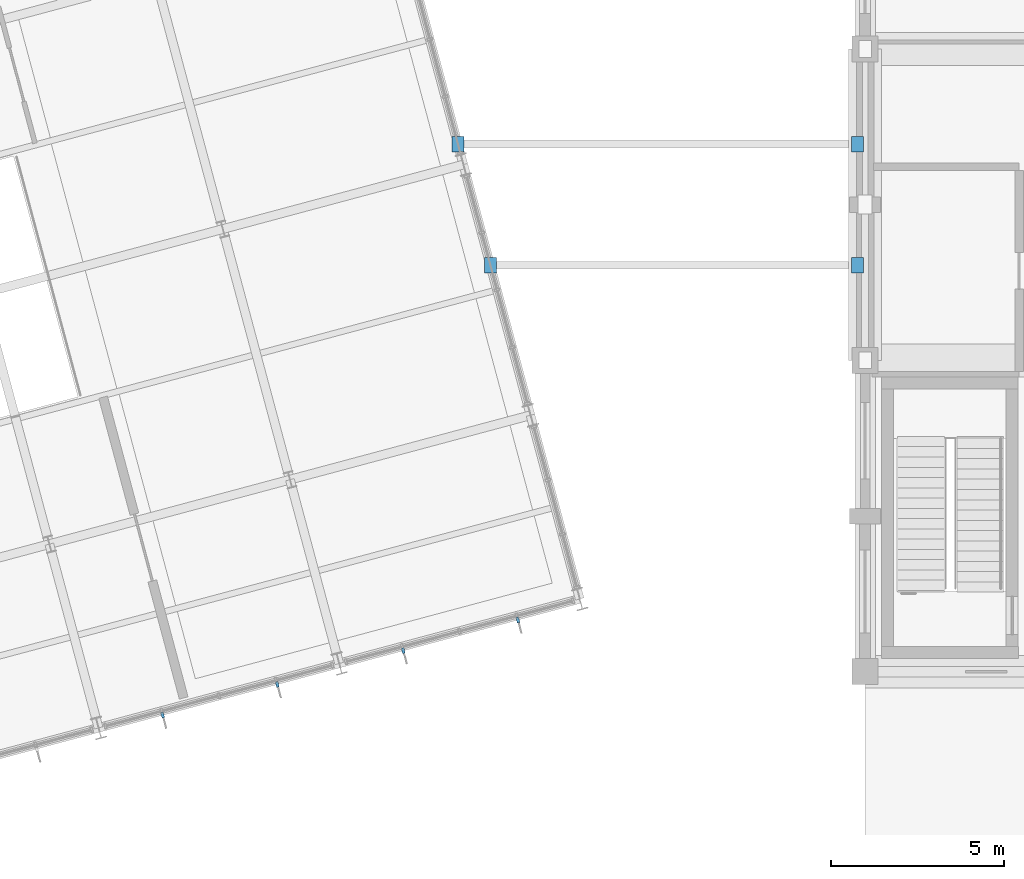
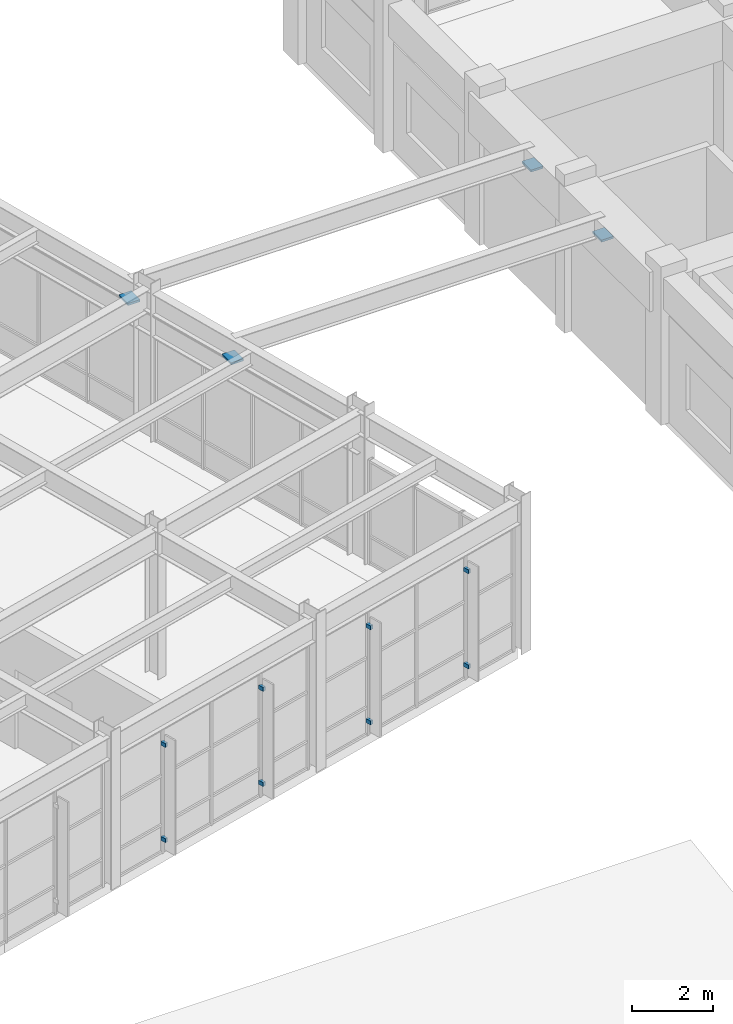
# One storey, part 92 of 104: 12 discrete accessories.
"""IFC4 building model written with IfcOpenShell, lengths in metres."""

from ifc_helpers import new_model, si_unit, direction, frame, origin, origin_2d, place, context, subcontext, project, spatial, rectangle, extrude, material, type_object, element, save


model = new_model("IFC4")

# Units and contexts
model_context = context("Model", 3, precision=1e-05, world=origin(), true_north=direction((0.0, 1.0)))
body_context = subcontext(model_context, "Body", "Model", "MODEL_VIEW")
ifc_project = project(units=[si_unit("LENGTHUNIT", "METRE"), si_unit("AREAUNIT", "SQUARE_METRE"), si_unit("VOLUMEUNIT", "CUBIC_METRE"), si_unit("PLANEANGLEUNIT", "RADIAN"), si_unit("MASSUNIT", "GRAM", prefix="KILO")], contexts=[model_context])

# Site, building, storey
site_placement = place(None, origin())
site = spatial("IfcSite", under=ifc_project, at=site_placement, CompositionType="ELEMENT")
building_placement = place(site_placement, origin())
building = spatial("IfcBuilding", under=site, at=building_placement, Name="Ventoquebrada Cableway Terminal", CompositionType="ELEMENT")
storey_placement = place(building_placement, frame((0.0, 0.0, 4.800048828125)))
storey = spatial("IfcBuildingStorey", under=building, at=storey_placement, Name="L01", CompositionType="ELEMENT", Elevation=4.800048828125)

# Discrete accessories
ifc_material_1 = material(Name="Anodized thermally-broken aluminium", Category="aluminium")
discrete_accessory_type_1 = type_object("IfcDiscreteAccessoryType", Name="BRK-01", PredefinedType="BRACKET", material=ifc_material_1)
for number, where, z_axis, x_axis, name in (
    (1, (74.693115234375, 75.7470703125, 0.389892578125), (0.0, 0.0, 1.0), (0.965970984022, 0.258650455301, 0.0), "Sunshade bracket FN-068"),
    (2, (74.693115234375, 75.7470703125, 3.27197265625), (0.0, 0.0, 1.0), (0.965970984022, 0.258650455301, 0.0), "Sunshade bracket FN-068"),
    (3, (78.008056640625, 76.634033203125, 0.389892578125), (0.0, 0.0, 1.0), (0.965970984022, 0.258650455301, 0.0), "Sunshade bracket FN-069"),
    (4, (78.008056640625, 76.634033203125, 3.27197265625), (0.0, 0.0, 1.0), (0.965970984022, 0.258650455301, 0.0), "Sunshade bracket FN-069"),
    (5, (81.64794921875, 77.610107421875, 0.389892578125), (0.0, 0.0, 1.0), (0.965925826289, 0.258819045103, 0.0), "Sunshade bracket FN-070"),
    (6, (81.64794921875, 77.610107421875, 3.27197265625), (0.0, 0.0, 1.0), (0.965925826289, 0.258819045103, 0.0), "Sunshade bracket FN-070"),
    (7, (84.9619140625, 78.498046875, 0.389892578125), (0.0, 0.0, 1.0), (0.965925826289, 0.258819045103, 0.0), "Sunshade bracket FN-071"),
    (8, (84.9619140625, 78.498046875, 3.27197265625), (0.0, 0.0, 1.0), (0.965925826289, 0.258819045103, 0.0), "Sunshade bracket FN-071"),
):
    element("IfcDiscreteAccessory", number, at=place(storey_placement, frame(where, z_axis=z_axis, x_axis=x_axis)), inside=storey, type_object=discrete_accessory_type_1, Name=name, PredefinedType="BRACKET", context=body_context, shape_type="SweptSolid", body=[
        extrude(rectangle(XDim=0.080078125, YDim=0.159912109375, at=origin_2d()), origin(), (0.0, 0.0, 1.0), 0.1201171875),
    ])
ifc_material_2 = material(Name="Steel ASTM A500 Grade C", Category="steel")
discrete_accessory_type_2 = type_object("IfcDiscreteAccessoryType", Name="FB-1", PredefinedType="SHOE", material=ifc_material_2)
for number, where, z_axis, x_axis, name in (
    (9, (84.166015625, 88.75, 3.802490234375), (0.0, 0.0, 1.0), (1.0, 0.0, 0.0), "Pinned bridge bearing FB-1 (LP-3)"),
    (10, (83.22900390625, 92.25, 3.802490234375), (0.0, 0.0, 1.0), (1.0, 0.0, 0.0), "Pinned bridge bearing FB-1 (LP-3)"),
):
    element("IfcDiscreteAccessory", number, at=place(storey_placement, frame(where, z_axis=z_axis, x_axis=x_axis)), inside=storey, type_object=discrete_accessory_type_2, Name=name, PredefinedType="SHOE", context=body_context, shape_type="SweptSolid", body=[
        extrude(rectangle(XDim=0.35009765625, YDim=0.449951171875, at=origin_2d()), origin(), (0.0, 0.0, 1.0), 0.06494140625),
    ])
ifc_material_3 = material(Name="Elastomeric PTFE bearing assembly")
discrete_accessory_type_3 = type_object("IfcDiscreteAccessoryType", Name="SB-1", PredefinedType="SHOE", material=ifc_material_3)
for number, where, z_axis, x_axis, name in (
    (11, (94.77490234375, 88.75, 3.802490234375), (0.0, 0.0, 1.0), (1.0, 0.0, 0.0), "Unguided PTFE sliding bearing SB-1 (LP-3)"),
    (12, (94.77490234375, 92.25, 3.802490234375), (0.0, 0.0, 1.0), (1.0, 0.0, 0.0), "Unguided PTFE sliding bearing SB-1 (LP-3)"),
):
    element("IfcDiscreteAccessory", number, at=place(storey_placement, frame(where, z_axis=z_axis, x_axis=x_axis)), inside=storey, type_object=discrete_accessory_type_3, Name=name, PredefinedType="SHOE", context=body_context, shape_type="SweptSolid", body=[
        extrude(rectangle(XDim=0.35009765625, YDim=0.449951171875, at=origin_2d()), origin(), (0.0, 0.0, 1.0), 0.06494140625),
    ])

save(model, "model.ifc")
